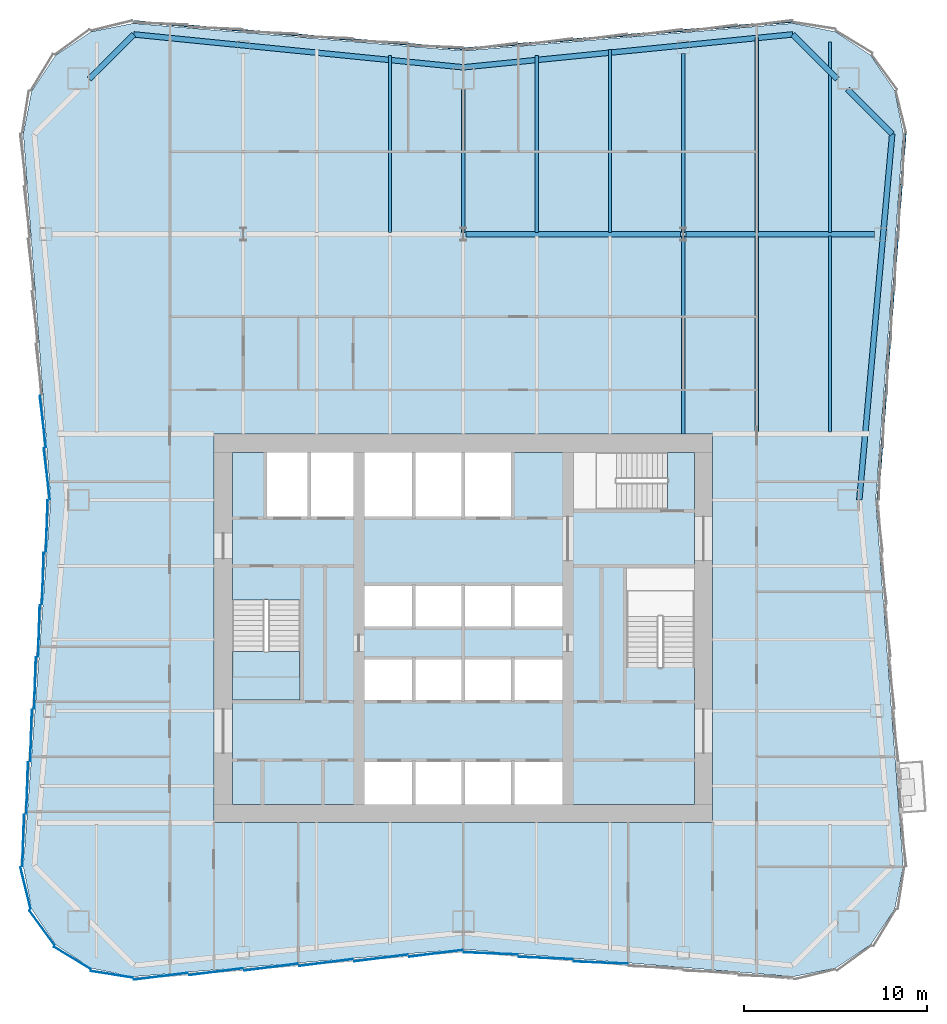
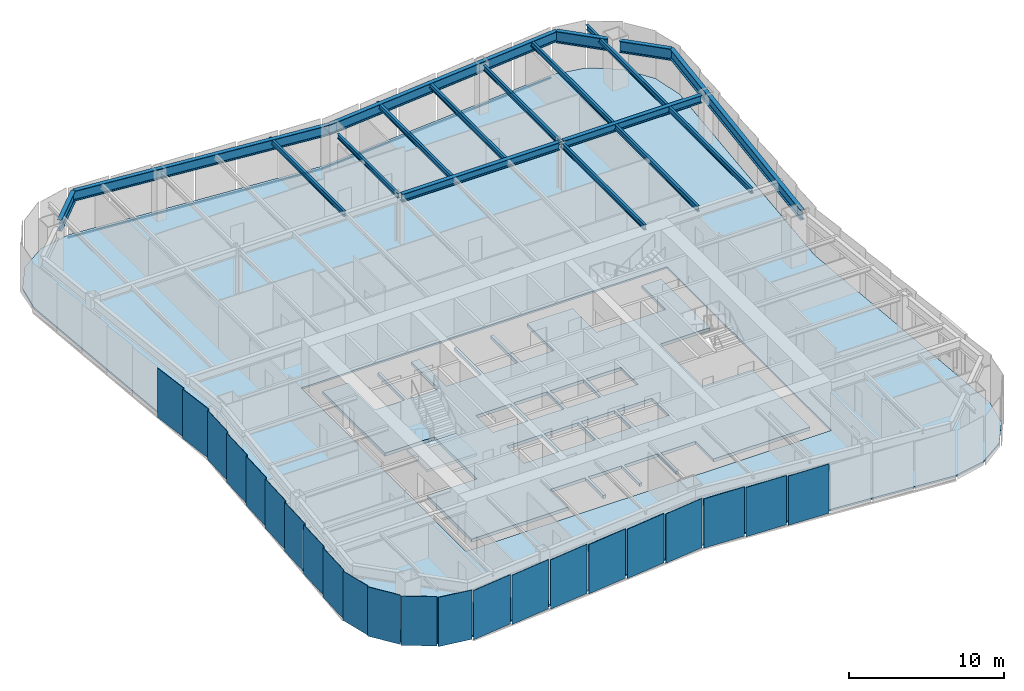
# One storey, part 2 of 9: 22 plates, 18 beams, 3 members, 3 slabs, 6 elements without a shape of their own.
"""IFC4 building model written with IfcOpenShell, lengths in metres."""

from ifc_helpers import new_model, si_unit, direction, frame, origin, origin_2d, place, context, subcontext, project, spatial, polyline, rectangle, i_section, outline, extrude, material, layer, layer_set, material_profile, profile_set, type_object, element, aggregate, save


model = new_model("IFC4")

# Units and contexts
model_context = context("Model", 3, precision=1e-05, world=origin(), true_north=direction((0.0, 1.0)))
body_context = subcontext(model_context, "Body", "Model", "MODEL_VIEW")
ifc_project = project(units=[si_unit("LENGTHUNIT", "METRE"), si_unit("AREAUNIT", "SQUARE_METRE"), si_unit("VOLUMEUNIT", "CUBIC_METRE"), si_unit("PLANEANGLEUNIT", "RADIAN"), si_unit("MASSUNIT", "GRAM", prefix="KILO")], contexts=[model_context])

# Site, building, storey
site_placement = place(None, origin())
site = spatial("IfcSite", under=ifc_project, at=site_placement, CompositionType="ELEMENT")
building_placement = place(site_placement, origin())
building = spatial("IfcBuilding", under=site, at=building_placement, Name="Verdant Reach Tower", CompositionType="ELEMENT")
storey_placement = place(building_placement, frame((0.0, 0.0, 130.0)))
storey = spatial("IfcBuildingStorey", under=building, at=storey_placement, Name="L29", CompositionType="ELEMENT", Elevation=130.0)

# Curtain wall, member
ifc_material_1 = material(Name="Anodised aluminium", Category="aluminium")
curtain_wall_type = type_object("IfcCurtainWallType", Name="EN-CW SYSTEM Z2", PredefinedType="NOTDEFINED", material=ifc_material_1)
curtain_wall_1_placement = place(storey_placement, origin())
curtain_wall_1 = element("IfcCurtainWall", 1, at=curtain_wall_1_placement, inside=storey, type_object=curtain_wall_type, Name="Curtain wall east, L29", PredefinedType="NOTDEFINED")
ifc_material_profile_1 = material_profile(ifc_material_1, rectangle(XDim=0.10009765625, YDim=0.1240234375, at=origin_2d()), Name="Transom 124x100")
ifc_profile_set_1 = profile_set([ifc_material_profile_1], Name="Anodised aluminium")
member_type = type_object("IfcMemberType", Name="EN-TRANSOM Z2", PredefinedType="USERDEFINED", material=ifc_profile_set_1)
member_1_placement = place(storey_placement, frame((22.6083984375, 35.031982421875, -0.2880859375), z_axis=(0.07476111665, 0.997201471839, 0.0), x_axis=(-0.997201471839, 0.07476111665, 0.0)))
member_1 = element("IfcMember", 2, at=member_1_placement, type_object=member_type, Name="Transom east face part 2 1.1, L29", ObjectType="TRANSOM", PredefinedType="USERDEFINED", context=body_context, shape_type="SweptSolid", body=[
    extrude(rectangle(XDim=0.10009765625, YDim=0.1240234375, at=origin_2d()), origin(), (0.0, 0.0, 1.0), 19.99853515625),
])
aggregate(curtain_wall_1, [member_1])

# Curtain wall, members
curtain_wall_2_placement = place(storey_placement, origin())
curtain_wall_2 = element("IfcCurtainWall", 3, at=curtain_wall_2_placement, inside=storey, type_object=curtain_wall_type, Name="Curtain wall north, L29", PredefinedType="NOTDEFINED")
member_2_placement = place(storey_placement, frame((17.97412109375, 61.103271484375, -0.2880859375), z_axis=(-0.996548282776, -0.083015179915, 0.0), x_axis=(0.083015179915, -0.996548282776, 0.0)))
member_2 = element("IfcMember", 4, at=member_2_placement, type_object=member_type, Name="Transom north face part 1 1.1, L29", ObjectType="TRANSOM", PredefinedType="USERDEFINED", context=body_context, shape_type="SweptSolid", body=[
    extrude(rectangle(XDim=0.10009765625, YDim=0.1240234375, at=origin_2d()), origin(), (0.0, 0.0, 1.0), 18.00439453125),
])
member_3_placement = place(storey_placement, frame((-0.031982421875, 59.608642578125, -0.2880859375), z_axis=(-0.996548282776, 0.083015179915, 0.0), x_axis=(-0.083015179915, -0.996548282776, 0.0)))
member_3 = element("IfcMember", 5, at=member_3_placement, type_object=member_type, Name="Transom north face part 2 1.1, L29", ObjectType="TRANSOM", PredefinedType="USERDEFINED", context=body_context, shape_type="SweptSolid", body=[
    extrude(rectangle(XDim=0.10009765625, YDim=0.1240234375, at=origin_2d()), origin(), (0.0, 0.0, 1.0), 18.00439453125),
])
aggregate(curtain_wall_2, [member_2, member_3])

# Beams
ifc_material_2 = material(Name="Steel S355", Category="steel")
ifc_material_profile_2 = material_profile(ifc_material_2, i_section(OverallWidth=0.300048828125, OverallDepth=0.60009765625, WebThickness=0.015380859375, FlangeThickness=0.030029296875, FilletRadius=0.027099609375, at=origin_2d()), Name="HEB 600")
ifc_profile_set_2 = profile_set([ifc_material_profile_2], Name="Steel S355")
beam_type_1 = type_object("IfcBeamType", Name="ST-BEAM-HEB600", PredefinedType="BEAM", material=ifc_profile_set_2)
beam_1_placement = place(storey_placement, frame((0.154052734375, 49.5, 3.570068359375), z_axis=(1.0, 0.0, 0.0), x_axis=(0.0, 1.0, 0.0)))
element("IfcBeam", 6, at=beam_1_placement, inside=storey, type_object=beam_type_1, Name="Row girder, L29", PredefinedType="BEAM", context=body_context, shape_type="SweptSolid", body=[
    extrude(i_section(OverallWidth=0.300048828125, OverallDepth=0.60009765625, WebThickness=0.015380859375, FlangeThickness=0.030029296875, FilletRadius=0.027099609375, at=origin_2d()), origin(), (0.0, 0.0, 1.0), 11.69189453125),
])
beam_2_placement = place(storey_placement, frame((12.154052734375, 49.5, 3.570068359375), z_axis=(1.0, 0.0, 0.0), x_axis=(0.0, 1.0, 0.0)))
element("IfcBeam", 7, at=beam_2_placement, inside=storey, type_object=beam_type_1, Name="Row girder, L29", PredefinedType="BEAM", context=body_context, shape_type="SweptSolid", body=[
    extrude(i_section(OverallWidth=0.300048828125, OverallDepth=0.60009765625, WebThickness=0.015380859375, FlangeThickness=0.030029296875, FilletRadius=0.027099609375, at=origin_2d()), origin(), (0.0, 0.0, 1.0), 10.283447265625),
])
ifc_material_profile_3 = material_profile(ifc_material_2, i_section(OverallWidth=0.169921875, OverallDepth=0.360107421875, WebThickness=0.008056640625, FlangeThickness=0.0126953125, FilletRadius=0.01806640625, at=origin_2d()), Name="IPE 360")
ifc_profile_set_3 = profile_set([ifc_material_profile_3], Name="Steel S355")
beam_type_2 = type_object("IfcBeamType", Name="ST-JOIST-IPE360", PredefinedType="JOIST", material=ifc_profile_set_3)
beam_3_placement = place(storey_placement, frame((0.0, 49.60009765625, 3.68994140625), z_axis=(0.0, 1.0, 0.0), x_axis=(-1.0, 0.0, 0.0)))
element("IfcBeam", 8, at=beam_3_placement, inside=storey, type_object=beam_type_2, Name="Floor joist, L29", PredefinedType="JOIST", context=body_context, shape_type="SweptSolid", body=[
    extrude(i_section(OverallWidth=0.169921875, OverallDepth=0.360107421875, WebThickness=0.008056640625, FlangeThickness=0.0126953125, FilletRadius=0.01806640625, at=origin_2d()), origin(), (0.0, 0.0, 1.0), 7.7998046875),
])
ifc_material_profile_4 = material_profile(ifc_material_2, i_section(OverallWidth=0.179931640625, OverallDepth=0.39990234375, WebThickness=0.008544921875, FlangeThickness=0.013427734375, FilletRadius=0.02099609375, at=origin_2d()), Name="IPE 400")
ifc_profile_set_4 = profile_set([ifc_material_profile_4], Name="Steel S355")
beam_type_3 = type_object("IfcBeamType", Name="ST-JOIST-IPE400", PredefinedType="JOIST", material=ifc_profile_set_4)
for number, where, z_axis, x_axis, name in (
    (9, (-4.0, 49.60009765625, 3.669921875), (0.0, 1.0, 0.0), (-1.0, 0.0, 0.0), "Floor joist, L29"),
    (10, (4.0, 49.60009765625, 3.669921875), (0.0, 1.0, 0.0), (-1.0, 0.0, 0.0), "Floor joist, L29"),
):
    element("IfcBeam", number, at=place(storey_placement, frame(where, z_axis=z_axis, x_axis=x_axis)), inside=storey, type_object=beam_type_3, Name=name, PredefinedType="JOIST", context=body_context, shape_type="SweptSolid", body=[
        extrude(i_section(OverallWidth=0.179931640625, OverallDepth=0.39990234375, WebThickness=0.008544921875, FlangeThickness=0.013427734375, FilletRadius=0.02099609375, at=origin_2d()), origin(), (0.0, 0.0, 1.0), 9.631103515625),
    ])
beam_4_placement = place(storey_placement, frame((8.0, 49.60009765625, 3.669921875), z_axis=(0.0, 1.0, 0.0), x_axis=(-1.0, 0.0, 0.0)))
element("IfcBeam", 11, at=beam_4_placement, inside=storey, type_object=beam_type_3, Name="Floor joist, L29", PredefinedType="JOIST", context=body_context, shape_type="SweptSolid", body=[
    extrude(i_section(OverallWidth=0.179931640625, OverallDepth=0.39990234375, WebThickness=0.008544921875, FlangeThickness=0.013427734375, FilletRadius=0.02099609375, at=origin_2d()), origin(), (0.0, 0.0, 1.0), 9.964599609375),
])
beam_5_placement = place(storey_placement, frame((12.0, 38.60009765625, 3.669921875), z_axis=(0.0, 1.0, 0.0), x_axis=(-1.0, 0.0, 0.0)))
element("IfcBeam", 12, at=beam_5_placement, inside=storey, type_object=beam_type_3, Name="Floor joist, L29", PredefinedType="JOIST", context=body_context, shape_type="SweptSolid", body=[
    extrude(i_section(OverallWidth=0.179931640625, OverallDepth=0.39990234375, WebThickness=0.008544921875, FlangeThickness=0.013427734375, FilletRadius=0.02099609375, at=origin_2d()), origin(), (0.0, 0.0, 1.0), 10.7998046875),
])
beam_6_placement = place(storey_placement, frame((12.0, 49.60009765625, 3.669921875), z_axis=(0.0, 1.0, 0.0), x_axis=(-1.0, 0.0, 0.0)))
element("IfcBeam", 13, at=beam_6_placement, inside=storey, type_object=beam_type_3, Name="Floor joist, L29", PredefinedType="JOIST", context=body_context, shape_type="SweptSolid", body=[
    extrude(i_section(OverallWidth=0.179931640625, OverallDepth=0.39990234375, WebThickness=0.008544921875, FlangeThickness=0.013427734375, FilletRadius=0.02099609375, at=origin_2d()), origin(), (0.0, 0.0, 1.0), 9.75),
])
beam_7_placement = place(storey_placement, frame((16.0, 38.699951171875, 3.669921875), z_axis=(0.0, 1.0, 0.0), x_axis=(-1.0, 0.0, 0.0)))
element("IfcBeam", 14, at=beam_7_placement, inside=storey, type_object=beam_type_3, Name="Floor joist, L29", PredefinedType="JOIST", context=body_context, shape_type="SweptSolid", body=[
    extrude(i_section(OverallWidth=0.179931640625, OverallDepth=0.39990234375, WebThickness=0.008544921875, FlangeThickness=0.013427734375, FilletRadius=0.02099609375, at=origin_2d()), origin(), (0.0, 0.0, 1.0), 10.699951171875),
])
beam_8_placement = place(storey_placement, frame((16.0, 49.60009765625, 3.669921875), z_axis=(0.0, 1.0, 0.0), x_axis=(-1.0, 0.0, 0.0)))
element("IfcBeam", 15, at=beam_8_placement, inside=storey, type_object=beam_type_3, Name="Floor joist, L29", PredefinedType="JOIST", context=body_context, shape_type="SweptSolid", body=[
    extrude(i_section(OverallWidth=0.179931640625, OverallDepth=0.39990234375, WebThickness=0.008544921875, FlangeThickness=0.013427734375, FilletRadius=0.02099609375, at=origin_2d()), origin(), (0.0, 0.0, 1.0), 10.631103515625),
])
beam_9_placement = place(storey_placement, frame((20.0, 38.699951171875, 3.669921875), z_axis=(0.0, 1.0, 0.0), x_axis=(-1.0, 0.0, 0.0)))
element("IfcBeam", 16, at=beam_9_placement, inside=storey, type_object=beam_type_3, Name="Floor joist, L29", PredefinedType="JOIST", context=body_context, shape_type="SweptSolid", body=[
    extrude(i_section(OverallWidth=0.179931640625, OverallDepth=0.39990234375, WebThickness=0.008544921875, FlangeThickness=0.013427734375, FilletRadius=0.02099609375, at=origin_2d()), origin(), (0.0, 0.0, 1.0), 10.699951171875),
])
beam_10_placement = place(storey_placement, frame((20.0, 49.60009765625, 3.669921875), z_axis=(0.0, 1.0, 0.0), x_axis=(-1.0, 0.0, 0.0)))
element("IfcBeam", 17, at=beam_10_placement, inside=storey, type_object=beam_type_3, Name="Floor joist, L29", PredefinedType="JOIST", context=body_context, shape_type="SweptSolid", body=[
    extrude(i_section(OverallWidth=0.179931640625, OverallDepth=0.39990234375, WebThickness=0.008544921875, FlangeThickness=0.013427734375, FilletRadius=0.02099609375, at=origin_2d()), origin(), (0.0, 0.0, 1.0), 10.390380859375),
])
ifc_material_profile_5 = material_profile(ifc_material_2, i_section(OverallWidth=0.300048828125, OverallDepth=0.800048828125, WebThickness=0.017578125, FlangeThickness=0.032958984375, FilletRadius=0.030029296875, at=origin_2d()), Name="HEB 800")
ifc_profile_set_5 = profile_set([ifc_material_profile_5], Name="Steel S355")
beam_type_4 = type_object("IfcBeamType", Name="ST-SPANDREL-HEB800", PredefinedType="SPANDREL", material=ifc_profile_set_5)
for number, where, z_axis, x_axis, name in (
    (18, (-17.9658203125, 60.39501953125, 3.469970703125), (0.995046289869, -0.099412680371, 0.0), (0.099412680371, 0.995046289869, 0.0), "Edge beam, L29"),
    (19, (0.0, 58.60009765625, 3.469970703125), (0.995046289869, 0.099412680371, 0.0), (-0.099412680371, 0.995046289869, 0.0), "Edge beam, L29"),
):
    element("IfcBeam", number, at=place(storey_placement, frame(where, z_axis=z_axis, x_axis=x_axis)), inside=storey, type_object=beam_type_4, Name=name, PredefinedType="SPANDREL", context=body_context, shape_type="SweptSolid", body=[
        extrude(i_section(OverallWidth=0.300048828125, OverallDepth=0.800048828125, WebThickness=0.017578125, FlangeThickness=0.032958984375, FilletRadius=0.030029296875, at=origin_2d()), origin(), (0.0, 0.0, 1.0), 18.05517578125),
    ])
beam_11_placement = place(storey_placement, frame((23.3955078125, 54.963134765625, 3.469970703125), z_axis=(-0.089574749266, -0.995980102358, 0.0), x_axis=(0.995980102358, -0.089574749266, 0.0)))
element("IfcBeam", 20, at=beam_11_placement, inside=storey, type_object=beam_type_4, Name="Edge beam, L29", PredefinedType="SPANDREL", context=body_context, shape_type="SweptSolid", body=[
    extrude(i_section(OverallWidth=0.300048828125, OverallDepth=0.800048828125, WebThickness=0.017578125, FlangeThickness=0.032958984375, FilletRadius=0.030029296875, at=origin_2d()), origin(), (0.0, 0.0, 1.0), 20.043701171875),
])
ifc_material_profile_6 = material_profile(ifc_material_2, i_section(OverallWidth=0.302001953125, OverallDepth=0.909912109375, WebThickness=0.02099609375, FlangeThickness=0.0400390625, FilletRadius=0.030029296875, at=origin_2d()), Name="HEM 900")
ifc_profile_set_6 = profile_set([ifc_material_profile_6], Name="Steel S355")
beam_type_5 = type_object("IfcBeamType", Name="ST-SPANDREL-HEM900", PredefinedType="SPANDREL", material=ifc_profile_set_6)
for number, where, z_axis, x_axis, name in (
    (21, (-20.39990234375, 57.9599609375, 3.4150390625), (0.70696494852, 0.70724858541, 0.0), (-0.70724858541, 0.70696494852, 0.0), "Edge beam, L29"),
    (22, (17.9658203125, 60.39501953125, 3.4150390625), (0.70696494852, -0.70724858541, 0.0), (0.70724858541, 0.70696494852, 0.0), "Edge beam, L29"),
):
    element("IfcBeam", number, at=place(storey_placement, frame(where, z_axis=z_axis, x_axis=x_axis)), inside=storey, type_object=beam_type_5, Name=name, PredefinedType="SPANDREL", context=body_context, shape_type="SweptSolid", body=[
        extrude(i_section(OverallWidth=0.302001953125, OverallDepth=0.909912109375, WebThickness=0.02099609375, FlangeThickness=0.0400390625, FilletRadius=0.030029296875, at=origin_2d()), origin(), (0.0, 0.0, 1.0), 3.443115234375),
    ])
beam_12_placement = place(storey_placement, frame((20.959716796875, 57.39990234375, 3.4150390625), z_axis=(0.706965048022, -0.707248485948, 0.0), x_axis=(0.707248485948, 0.706965048022, 0.0)))
element("IfcBeam", 23, at=beam_12_placement, inside=storey, type_object=beam_type_5, Name="Edge beam, L29", PredefinedType="SPANDREL", context=body_context, shape_type="SweptSolid", body=[
    extrude(i_section(OverallWidth=0.302001953125, OverallDepth=0.909912109375, WebThickness=0.02099609375, FlangeThickness=0.0400390625, FilletRadius=0.030029296875, at=origin_2d()), origin(), (0.0, 0.0, 1.0), 3.4453125),
])

# Stair, slab
ifc_material_3 = material(Name="Concrete C40/50", Category="concrete")
stair_type = type_object("IfcStairType", Name="CO-STAIR", PredefinedType="HALF_TURN_STAIR", material=ifc_material_3)
stair_placement = place(storey_placement, origin())
stair = element("IfcStair", 24, at=stair_placement, inside=storey, type_object=stair_type, Name="L29 Exit stair 1", PredefinedType="HALF_TURN_STAIR")
ifc_layer_1 = layer(ifc_material_3, 0.199951171875)
ifc_layer_set_1 = layer_set([ifc_layer_1], Name="CO-STAIR-LANDING")
slab_type_1 = type_object("IfcSlabType", Name="CO-STAIR-LANDING", PredefinedType="LANDING", material=ifc_layer_set_1)
slab_1_placement = place(storey_placement, frame((0.0, 0.0, 1.800048828125)))
slab_1 = element("IfcSlab", 25, at=slab_1_placement, type_object=slab_type_1, Name="ST-1 landing 1", PredefinedType="LANDING", context=body_context, shape_type="SweptSolid", body=[
    extrude(outline(polyline([(-12.60009765625, 26.75), (-12.60009765625, 24.10009765625), (-8.89990234375, 24.10009765625), (-8.89990234375, 26.75), (-12.60009765625, 26.75)])), origin(), (0.0, 0.0, 1.0), 0.199951171875),
])
aggregate(stair, [slab_1])

# Curtain wall, plates
curtain_wall_3_placement = place(storey_placement, origin())
curtain_wall_3 = element("IfcCurtainWall", 26, at=curtain_wall_3_placement, inside=storey, type_object=curtain_wall_type, Name="Curtain wall west, L29", PredefinedType="NOTDEFINED")
ifc_material_4 = material(Name="Tinted glass with champagne spandrel", Category="glass")
ifc_layer_2 = layer(ifc_material_4, 0.031982421875)
ifc_layer_set_2 = layer_set([ifc_layer_2], Name="EN-PANEL CHAMPAGNE")
plate_type_1 = type_object("IfcPlateType", Name="EN-PANEL CHAMPAGNE", PredefinedType="CURTAIN_PANEL", material=ifc_layer_set_2)
plate_1_placement = place(storey_placement, frame((-22.92724609375, 39.27783203125, -0.22607421875), z_axis=(0.0, 0.0, 1.0), x_axis=(0.116482717753, -0.993192718693, 0.0)))
plate_1 = element("IfcPlate", 27, at=plate_1_placement, type_object=plate_type_1, Name="Glass panel west face part 1 6.1, L29", PredefinedType="CURTAIN_PANEL", context=body_context, shape_type="SweptSolid", body=[
    extrude(rectangle(XDim=2.80517578125, YDim=0.031982421875, at=origin_2d()), origin(), (0.0, 0.0, 1.0), 3.8759765625),
])
plate_2_placement = place(storey_placement, frame((-22.712890625, 36.424560546875, -0.22607421875), z_axis=(0.0, 0.0, 1.0), x_axis=(0.116585911919, -0.993180610535, 0.0)))
plate_2 = element("IfcPlate", 28, at=plate_2_placement, type_object=plate_type_1, Name="Glass panel west face part 1 7.1, L29", PredefinedType="CURTAIN_PANEL", context=body_context, shape_type="SweptSolid", body=[
    extrude(rectangle(XDim=2.797119140625, YDim=0.031982421875, at=origin_2d()), origin(), (0.0, 0.0, 1.0), 3.8759765625),
])
plate_3_placement = place(storey_placement, frame((-22.712890625, 33.575439453125, -0.22607421875), z_axis=(0.0, 0.0, 1.0), x_axis=(-0.033069817188, -0.999453044015, 0.0)))
plate_3 = element("IfcPlate", 29, at=plate_3_placement, type_object=plate_type_1, Name="Glass panel west face part 2 1.1, L29", PredefinedType="CURTAIN_PANEL", context=body_context, shape_type="SweptSolid", body=[
    extrude(rectangle(XDim=2.797119140625, YDim=0.031982421875, at=origin_2d()), origin(), (0.0, 0.0, 1.0), 3.8759765625),
])
plate_4_placement = place(storey_placement, frame((-22.92724609375, 30.72216796875, -0.22607421875), z_axis=(0.0, 0.0, 1.0), x_axis=(-0.032965971753, -0.999456474643, 0.0)))
plate_4 = element("IfcPlate", 30, at=plate_4_placement, type_object=plate_type_1, Name="Glass panel west face part 2 2.1, L29", PredefinedType="CURTAIN_PANEL", context=body_context, shape_type="SweptSolid", body=[
    extrude(rectangle(XDim=2.80517578125, YDim=0.031982421875, at=origin_2d()), origin(), (0.0, 0.0, 1.0), 3.8759765625),
])

curtain_wall_4_placement = place(storey_placement, origin())
curtain_wall_4 = element("IfcCurtainWall", 31, at=curtain_wall_4_placement, inside=storey, type_object=curtain_wall_type, Name="Curtain wall south, L29", PredefinedType="NOTDEFINED")
plate_5_placement = place(storey_placement, frame((-7.4912109375, 9.769287109375, -0.22607421875), z_axis=(0.0, 0.0, 1.0), x_axis=(0.992194034542, 0.124703639961, 0.0)))
plate_5 = element("IfcPlate", 32, at=plate_5_placement, type_object=plate_type_1, Name="Glass panel south face part 1 4.1, L29", PredefinedType="CURTAIN_PANEL", context=body_context, shape_type="SweptSolid", body=[
    extrude(rectangle(XDim=2.950439453125, YDim=0.031982421875, at=origin_2d()), origin(), (0.0, 0.0, 1.0), 3.8759765625),
])
plate_6_placement = place(storey_placement, frame((-4.4912109375, 10.019287109375, -0.22607421875), z_axis=(0.0, 0.0, 1.0), x_axis=(0.992194034542, 0.124703639961, 0.0)))
plate_6 = element("IfcPlate", 33, at=plate_6_placement, type_object=plate_type_1, Name="Glass panel south face part 1 5.1, L29", PredefinedType="CURTAIN_PANEL", context=body_context, shape_type="SweptSolid", body=[
    extrude(rectangle(XDim=2.950439453125, YDim=0.031982421875, at=origin_2d()), origin(), (0.0, 0.0, 1.0), 3.8759765625),
])
plate_7_placement = place(storey_placement, frame((-1.49560546875, 10.269287109375, -0.22607421875), z_axis=(0.0, 0.0, 1.0), x_axis=(0.992178815188, 0.12482467181, 0.0)))
plate_7 = element("IfcPlate", 34, at=plate_7_placement, type_object=plate_type_1, Name="Glass panel south face part 1 6.1, L29", PredefinedType="CURTAIN_PANEL", context=body_context, shape_type="SweptSolid", body=[
    extrude(rectangle(XDim=2.941650390625, YDim=0.031982421875, at=origin_2d()), origin(), (0.0, 0.0, 1.0), 3.8759765625),
])

# Plate
ifc_material_5 = material(Name="Tinted glass with copper spandrel", Category="glass")
ifc_layer_3 = layer(ifc_material_5, 0.031982421875)
ifc_layer_set_3 = layer_set([ifc_layer_3], Name="EN-PANEL COPPER")
plate_type_2 = type_object("IfcPlateType", Name="EN-PANEL COPPER", PredefinedType="CURTAIN_PANEL", material=ifc_layer_set_3)
plate_8_placement = place(storey_placement, frame((-23.141357421875, 27.864990234375, -0.22607421875), z_axis=(0.0, 0.0, 1.0), x_axis=(-0.032965971753, -0.999456474643, 0.0)))
plate_8 = element("IfcPlate", 35, at=plate_8_placement, type_object=plate_type_2, Name="Glass panel west face part 2 3.1, L29", PredefinedType="CURTAIN_PANEL", context=body_context, shape_type="SweptSolid", body=[
    extrude(rectangle(XDim=2.80517578125, YDim=0.031982421875, at=origin_2d()), origin(), (0.0, 0.0, 1.0), 3.8759765625),
])

plate_9_placement = place(storey_placement, frame((-23.355712890625, 25.0078125, -0.22607421875), z_axis=(0.0, 0.0, 1.0), x_axis=(-0.032965971753, -0.999456474643, 0.0)))
plate_9 = element("IfcPlate", 36, at=plate_9_placement, type_object=plate_type_2, Name="Glass panel west face part 2 4.1, L29", PredefinedType="CURTAIN_PANEL", context=body_context, shape_type="SweptSolid", body=[
    extrude(rectangle(XDim=2.80517578125, YDim=0.031982421875, at=origin_2d()), origin(), (0.0, 0.0, 1.0), 3.8759765625),
])

# Curtain wall, plates
curtain_wall_5_placement = place(storey_placement, origin())
curtain_wall_5 = element("IfcCurtainWall", 37, at=curtain_wall_5_placement, inside=storey, type_object=curtain_wall_type, Name="Curtain wall south-west corner, L29", PredefinedType="NOTDEFINED")
plate_10_placement = place(storey_placement, frame((-23.87353515625, 13.828369140625, -0.22607421875), z_axis=(0.0, 0.0, 1.0), x_axis=(0.236416170006, -0.971651889598, 0.0)))
plate_10 = element("IfcPlate", 38, at=plate_10_placement, type_object=plate_type_2, Name="Glass panel south-west corner 1.1, L29", PredefinedType="CURTAIN_PANEL", context=body_context, shape_type="SweptSolid", body=[
    extrude(rectangle(XDim=2.316162109375, YDim=0.031982421875, at=origin_2d()), origin(), (0.0, 0.0, 1.0), 3.8759765625),
])
plate_11_placement = place(storey_placement, frame((-22.9794921875, 11.6728515625, -0.22607421875), z_axis=(0.0, 0.0, 1.0), x_axis=(0.589926757843, -0.807456760688, 0.0)))
plate_11 = element("IfcPlate", 39, at=plate_11_placement, type_object=plate_type_2, Name="Glass panel south-west corner 2.1, L29", PredefinedType="CURTAIN_PANEL", context=body_context, shape_type="SweptSolid", body=[
    extrude(rectangle(XDim=2.322509765625, YDim=0.031982421875, at=origin_2d()), origin(), (0.0, 0.0, 1.0), 3.8759765625),
])
plate_12_placement = place(storey_placement, frame((-21.3271484375, 10.0205078125, -0.22607421875), z_axis=(0.0, 0.0, 1.0), x_axis=(0.853988694998, -0.520291561353, 0.0)))
plate_12 = element("IfcPlate", 40, at=plate_12_placement, type_object=plate_type_2, Name="Glass panel south-west corner 3.1, L29", PredefinedType="CURTAIN_PANEL", context=body_context, shape_type="SweptSolid", body=[
    extrude(rectangle(XDim=2.322509765625, YDim=0.031982421875, at=origin_2d()), origin(), (0.0, 0.0, 1.0), 3.8759765625),
])

# Plate
plate_13_placement = place(storey_placement, frame((-16.49853515625, 9.019287109375, -0.22607421875), z_axis=(0.0, 0.0, 1.0), x_axis=(0.992236570309, 0.124364739946, 0.0)))
plate_13 = element("IfcPlate", 41, at=plate_13_placement, type_object=plate_type_2, Name="Glass panel south face part 1 1.1, L29", PredefinedType="CURTAIN_PANEL", context=body_context, shape_type="SweptSolid", body=[
    extrude(rectangle(XDim=2.965087890625, YDim=0.031982421875, at=origin_2d()), origin(), (0.0, 0.0, 1.0), 3.8759765625),
])

plate_14_placement = place(storey_placement, frame((1.49560546875, 10.269287109375, -0.22607421875), z_axis=(0.0, 0.0, 1.0), x_axis=(0.999144163765, -0.041363510662, 0.0)))
plate_14 = element("IfcPlate", 42, at=plate_14_placement, type_object=plate_type_2, Name="Glass panel south face part 2 1.1, L29", PredefinedType="CURTAIN_PANEL", context=body_context, shape_type="SweptSolid", body=[
    extrude(rectangle(XDim=2.941650390625, YDim=0.031982421875, at=origin_2d()), origin(), (0.0, 0.0, 1.0), 3.8759765625),
])

plate_15_placement = place(storey_placement, frame((4.4912109375, 10.019287109375, -0.22607421875), z_axis=(0.0, 0.0, 1.0), x_axis=(0.999149202059, -0.041241629766, 0.0)))
plate_15 = element("IfcPlate", 43, at=plate_15_placement, type_object=plate_type_2, Name="Glass panel south face part 2 2.1, L29", PredefinedType="CURTAIN_PANEL", context=body_context, shape_type="SweptSolid", body=[
    extrude(rectangle(XDim=2.950439453125, YDim=0.031982421875, at=origin_2d()), origin(), (0.0, 0.0, 1.0), 3.8759765625),
])

ifc_material_6 = material(Name="Tinted glass with dark bronze spandrel", Category="glass")
ifc_layer_4 = layer(ifc_material_6, 0.031982421875)
ifc_layer_set_4 = layer_set([ifc_layer_4], Name="EN-PANEL DARK")
plate_type_3 = type_object("IfcPlateType", Name="EN-PANEL DARK", PredefinedType="CURTAIN_PANEL", material=ifc_layer_set_4)
plate_16_placement = place(storey_placement, frame((-23.570068359375, 22.15087890625, -0.22607421875), z_axis=(0.0, 0.0, 1.0), x_axis=(-0.032965971753, -0.999456474643, 0.0)))
plate_16 = element("IfcPlate", 44, at=plate_16_placement, type_object=plate_type_3, Name="Glass panel west face part 2 5.1, L29", PredefinedType="CURTAIN_PANEL", context=body_context, shape_type="SweptSolid", body=[
    extrude(rectangle(XDim=2.80517578125, YDim=0.031982421875, at=origin_2d()), origin(), (0.0, 0.0, 1.0), 3.8759765625),
])

plate_17_placement = place(storey_placement, frame((-23.7841796875, 19.293701171875, -0.22607421875), z_axis=(0.0, 0.0, 1.0), x_axis=(-0.032965971753, -0.999456474643, 0.0)))
plate_17 = element("IfcPlate", 45, at=plate_17_placement, type_object=plate_type_3, Name="Glass panel west face part 2 6.1, L29", PredefinedType="CURTAIN_PANEL", context=body_context, shape_type="SweptSolid", body=[
    extrude(rectangle(XDim=2.80517578125, YDim=0.031982421875, at=origin_2d()), origin(), (0.0, 0.0, 1.0), 3.8759765625),
])

plate_18_placement = place(storey_placement, frame((-23.99853515625, 16.42919921875, -0.22607421875), z_axis=(0.0, 0.0, 1.0), x_axis=(-0.032628234484, -0.99946755741, 0.0)))
plate_18 = element("IfcPlate", 46, at=plate_18_placement, type_object=plate_type_3, Name="Glass panel west face part 2 7.1, L29", PredefinedType="CURTAIN_PANEL", context=body_context, shape_type="SweptSolid", body=[
    extrude(rectangle(XDim=2.819580078125, YDim=0.031982421875, at=origin_2d()), origin(), (0.0, 0.0, 1.0), 3.8759765625),
])

aggregate(curtain_wall_3, [plate_1, plate_2, plate_3, plate_4, plate_8, plate_9, plate_16, plate_17, plate_18])

plate_19_placement = place(storey_placement, frame((-19.17138671875, 9.12646484375, -0.22607421875), z_axis=(0.0, 0.0, 1.0), x_axis=(0.988030887576, -0.154256167447, 0.0)))
plate_19 = element("IfcPlate", 47, at=plate_19_placement, type_object=plate_type_3, Name="Glass panel south-west corner 4.1, L29", PredefinedType="CURTAIN_PANEL", context=body_context, shape_type="SweptSolid", body=[
    extrude(rectangle(XDim=2.31640625, YDim=0.031982421875, at=origin_2d()), origin(), (0.0, 0.0, 1.0), 3.8759765625),
])

aggregate(curtain_wall_5, [plate_10, plate_11, plate_12, plate_19])

plate_20_placement = place(storey_placement, frame((-13.4912109375, 9.269287109375, -0.22607421875), z_axis=(0.0, 0.0, 1.0), x_axis=(0.992194034542, 0.124703639961, 0.0)))
plate_20 = element("IfcPlate", 48, at=plate_20_placement, type_object=plate_type_3, Name="Glass panel south face part 1 2.1, L29", PredefinedType="CURTAIN_PANEL", context=body_context, shape_type="SweptSolid", body=[
    extrude(rectangle(XDim=2.950439453125, YDim=0.031982421875, at=origin_2d()), origin(), (0.0, 0.0, 1.0), 3.8759765625),
])

plate_21_placement = place(storey_placement, frame((-10.4912109375, 9.519287109375, -0.22607421875), z_axis=(0.0, 0.0, 1.0), x_axis=(0.992194034542, 0.124703639961, 0.0)))
plate_21 = element("IfcPlate", 49, at=plate_21_placement, type_object=plate_type_3, Name="Glass panel south face part 1 3.1, L29", PredefinedType="CURTAIN_PANEL", context=body_context, shape_type="SweptSolid", body=[
    extrude(rectangle(XDim=2.950439453125, YDim=0.031982421875, at=origin_2d()), origin(), (0.0, 0.0, 1.0), 3.8759765625),
])

plate_22_placement = place(storey_placement, frame((7.4912109375, 9.769287109375, -0.22607421875), z_axis=(0.0, 0.0, 1.0), x_axis=(0.999149202059, -0.041241629766, 0.0)))
plate_22 = element("IfcPlate", 50, at=plate_22_placement, type_object=plate_type_3, Name="Glass panel south face part 2 3.1, L29", PredefinedType="CURTAIN_PANEL", context=body_context, shape_type="SweptSolid", body=[
    extrude(rectangle(XDim=2.950439453125, YDim=0.031982421875, at=origin_2d()), origin(), (0.0, 0.0, 1.0), 3.8759765625),
])

aggregate(curtain_wall_4, [plate_13, plate_20, plate_21, plate_5, plate_6, plate_7, plate_14, plate_15, plate_22])

# Slabs
ifc_material_7 = material(Name="Concrete C35/45", Category="concrete")
ifc_layer_5 = layer(ifc_material_7, 0.1298828125)
ifc_layer_set_5 = layer_set([ifc_layer_5], Name="ST-SLAB-130")
slab_type_2 = type_object("IfcSlabType", Name="ST-SLAB-130", PredefinedType="FLOOR", material=ifc_layer_set_5)
slab_2_placement = place(storey_placement, frame((0.0, 0.0, -0.1298828125)))
element("IfcSlab", 51, at=slab_2_placement, inside=storey, type_object=slab_type_2, Name="Floor slab L29", PredefinedType="FLOOR", context=body_context, shape_type="SweptSolid", body=[
    extrude(outline(polyline([(0.0, 10.5), (-18.0, 9.0), (-20.296142578125, 9.456787109375), (-22.24267578125, 10.75732421875), (-23.543212890625, 12.703857421875), (-24.0, 15.0), (-22.5, 35.0), (-24.0, 55.0), (-23.543212890625, 57.296142578125), (-22.24267578125, 59.24267578125), (-20.296142578125, 60.543212890625), (-18.0, 61.0), (0.0, 59.5), (18.0, 61.0), (20.296142578125, 60.543212890625), (22.24267578125, 59.24267578125), (23.543212890625, 57.296142578125), (24.0, 55.0), (22.5, 35.0), (24.0, 15.0), (23.543212890625, 12.703857421875), (22.24267578125, 10.75732421875), (20.296142578125, 9.456787109375), (18.0, 9.0), (0.0, 10.5)]), holes=[polyline([(13.60009765625, 38.60009765625), (-13.60009765625, 38.60009765625), (-13.60009765625, 17.39990234375), (13.60009765625, 17.39990234375), (13.60009765625, 38.60009765625)])]), origin(), (0.0, 0.0, 1.0), 0.1298828125),
])
ifc_layer_6 = layer(ifc_material_7, 0.25)
ifc_layer_set_6 = layer_set([ifc_layer_6], Name="ST-SLAB-250")
slab_type_3 = type_object("IfcSlabType", Name="ST-SLAB-250", PredefinedType="FLOOR", material=ifc_layer_set_6)
slab_3_placement = place(storey_placement, frame((0.0, 0.0, -0.25)))
element("IfcSlab", 52, at=slab_3_placement, inside=storey, type_object=slab_type_3, Name="Core floor slab L29", PredefinedType="FLOOR", context=body_context, shape_type="SweptSolid", body=[
    extrude(outline(polyline([(12.60009765625, 18.39990234375), (5.39990234375, 18.39990234375), (5.39990234375, 20.699951171875), (2.800048828125, 20.699951171875), (2.800048828125, 18.39990234375), (2.60009765625, 18.39990234375), (2.60009765625, 20.699951171875), (0.10009765625, 20.699951171875), (0.10009765625, 18.39990234375), (-0.10009765625, 18.39990234375), (-0.10009765625, 20.699951171875), (-2.60009765625, 20.699951171875), (-2.60009765625, 18.39990234375), (-2.800048828125, 18.39990234375), (-2.800048828125, 20.699951171875), (-5.39990234375, 20.699951171875), (-5.39990234375, 18.39990234375), (-12.60009765625, 18.39990234375), (-12.60009765625, 24.10009765625), (-8.89990234375, 24.10009765625), (-8.89990234375, 29.548095703125), (-12.60009765625, 29.548095703125), (-12.60009765625, 37.60009765625), (-10.699951171875, 37.60009765625), (-10.699951171875, 34.10009765625), (-8.5, 34.10009765625), (-8.5, 37.60009765625), (-8.300048828125, 37.60009765625), (-8.300048828125, 34.10009765625), (-6.0, 34.10009765625), (-6.0, 37.60009765625), (-5.39990234375, 37.60009765625), (-5.39990234375, 34.10009765625), (-2.800048828125, 34.10009765625), (-2.800048828125, 37.60009765625), (-2.60009765625, 37.60009765625), (-2.60009765625, 34.10009765625), (-0.10009765625, 34.10009765625), (-0.10009765625, 37.60009765625), (0.10009765625, 37.60009765625), (0.10009765625, 34.10009765625), (2.60009765625, 34.10009765625), (2.60009765625, 37.60009765625), (6.0, 37.60009765625), (6.0, 34.5), (11.14794921875, 34.5), (11.14794921875, 37.60009765625), (12.60009765625, 37.60009765625), (12.60009765625, 31.300048828125), (8.89990234375, 31.300048828125), (8.89990234375, 25.85205078125), (12.60009765625, 25.85205078125), (12.60009765625, 18.39990234375)]), holes=[polyline([(-2.800048828125, 24.10009765625), (-2.800048828125, 26.300048828125), (-5.39990234375, 26.300048828125), (-5.39990234375, 24.10009765625), (-2.800048828125, 24.10009765625)]), polyline([(-2.60009765625, 24.10009765625), (-0.10009765625, 24.10009765625), (-0.10009765625, 26.300048828125), (-2.60009765625, 26.300048828125), (-2.60009765625, 24.10009765625)]), polyline([(-2.800048828125, 28.10009765625), (-2.800048828125, 30.300048828125), (-5.39990234375, 30.300048828125), (-5.39990234375, 28.10009765625), (-2.800048828125, 28.10009765625)]), polyline([(-0.10009765625, 28.10009765625), (-0.10009765625, 30.300048828125), (-2.60009765625, 30.300048828125), (-2.60009765625, 28.10009765625), (-0.10009765625, 28.10009765625)]), polyline([(2.60009765625, 24.10009765625), (2.60009765625, 26.300048828125), (0.10009765625, 26.300048828125), (0.10009765625, 24.10009765625), (2.60009765625, 24.10009765625)]), polyline([(2.800048828125, 24.10009765625), (5.39990234375, 24.10009765625), (5.39990234375, 26.300048828125), (2.800048828125, 26.300048828125), (2.800048828125, 24.10009765625)]), polyline([(2.60009765625, 28.10009765625), (2.60009765625, 30.300048828125), (0.10009765625, 30.300048828125), (0.10009765625, 28.10009765625), (2.60009765625, 28.10009765625)]), polyline([(5.39990234375, 28.10009765625), (5.39990234375, 30.300048828125), (2.800048828125, 30.300048828125), (2.800048828125, 28.10009765625), (5.39990234375, 28.10009765625)])]), origin(), (0.0, 0.0, 1.0), 0.25),
])

save(model, "model.ifc")
